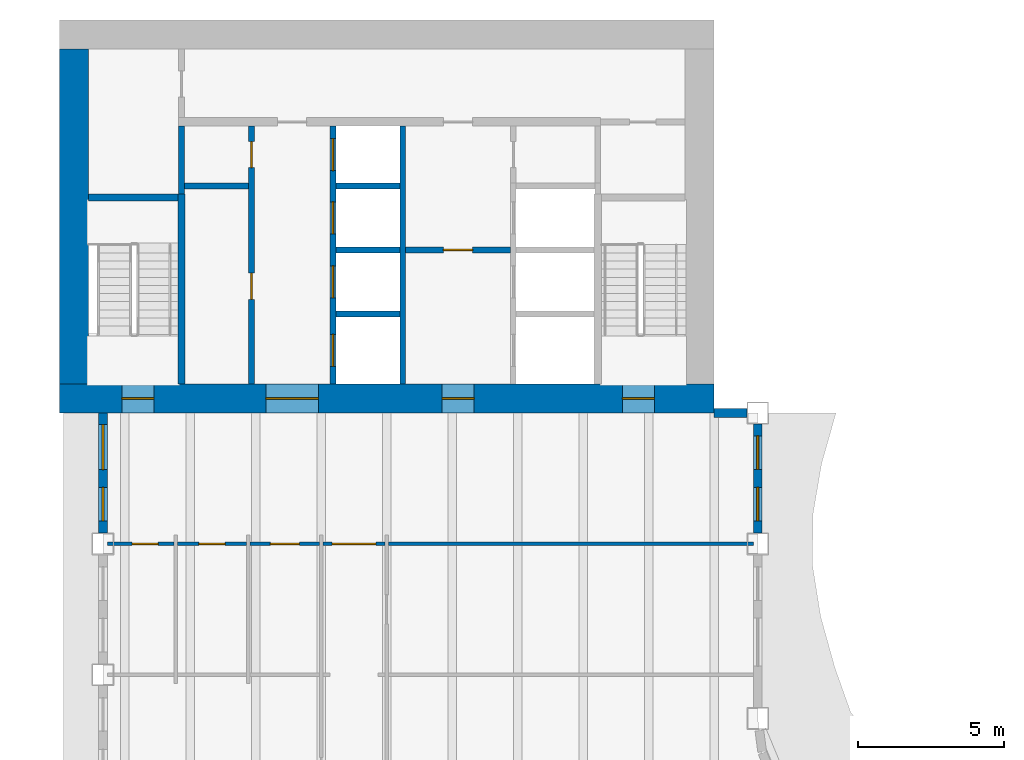
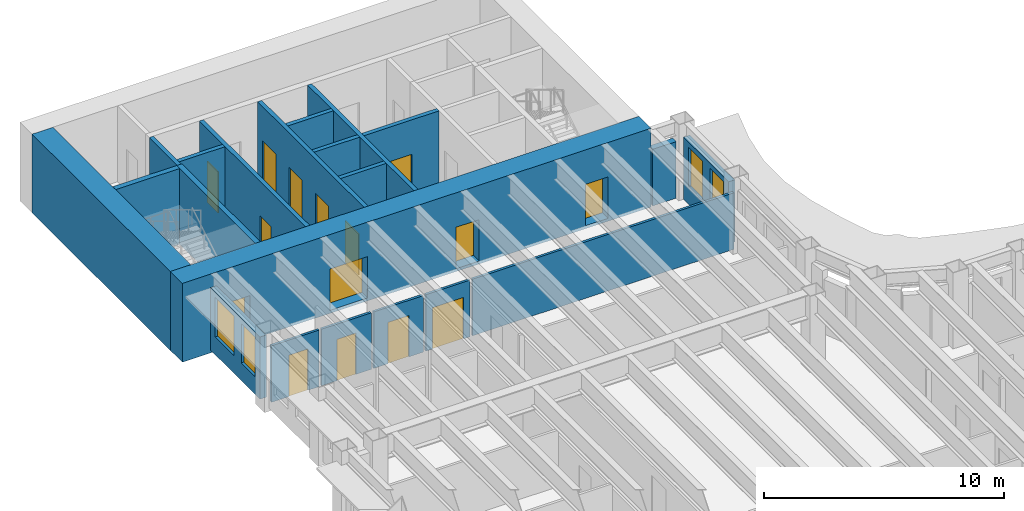
# One storey, part 9 of 17: 21 walls, 15 doors, 4 windows, 19 openings.
"""IFC4 building model written with IfcOpenShell, lengths in metres."""

from ifc_helpers import new_model, si_unit, direction, frame, frame_2d, origin, place, context, subcontext, project, spatial, rectangle, extrude, material, layer, layer_set, type_object, element, fill, save


model = new_model("IFC4")

# Units and contexts
model_context = context("Model", 3, precision=1e-05, world=origin(), true_north=direction((0.0, 1.0)))
body_context = subcontext(model_context, "Body", "Model", "MODEL_VIEW")
ifc_project = project(units=[si_unit("LENGTHUNIT", "METRE"), si_unit("AREAUNIT", "SQUARE_METRE"), si_unit("VOLUMEUNIT", "CUBIC_METRE"), si_unit("PLANEANGLEUNIT", "RADIAN"), si_unit("MASSUNIT", "GRAM", prefix="KILO")], contexts=[model_context])

# Site, building, storey
site_placement = place(None, origin())
site = spatial("IfcSite", under=ifc_project, at=site_placement, CompositionType="ELEMENT")
building_placement = place(site_placement, origin())
building = spatial("IfcBuilding", under=site, at=building_placement, Name="Sennacour Bend Tower", CompositionType="ELEMENT")
storey_placement = place(building_placement, frame((0.0, 0.0, 195.0)))
storey = spatial("IfcBuildingStorey", under=building, at=storey_placement, Name="L44", CompositionType="ELEMENT", Elevation=195.0)

# Wall, openings, doors
ifc_material_1 = material(Name="Concrete C60/75", Category="concrete")
ifc_layer_1 = layer(ifc_material_1, 1.0, Name="Concrete C60/75", Category="concrete")
ifc_layer_set_1 = layer_set([ifc_layer_1], Name="Concrete C60/75")
wall_type_1 = type_object("IfcWallType", Name="Core wall 1000 C60/75", PredefinedType="SHEAR", material=ifc_layer_set_1)
wall_1_placement = place(storey_placement, frame((0.0, 36.5, -0.14990234375), z_axis=(0.0, 0.0, 1.0), x_axis=(1.0, 0.0, 0.0)))
wall_1 = element("IfcWall", 1, at=wall_1_placement, inside=storey, type_object=wall_type_1, Name="Core B wall L44 S", PredefinedType="SHEAR", context=body_context, shape_type="SweptSolid", body=[
    extrude(rectangle(XDim=22.5, YDim=1.0, at=frame_2d((11.25, 0.0))), origin(), (0.0, 0.0, 1.0), 4.0),
])
opening_1_placement = place(wall_1_placement, frame((7.10009765625, 0.0, 0.14990234375)))
opening_1 = element("IfcOpeningElement", 2, at=opening_1_placement, cuts=wall_1, Name="Opening CD", PredefinedType="OPENING", context=body_context, shape_type="SweptSolid", body=[
    extrude(rectangle(XDim=1.800048828125, YDim=2.10009765625, at=frame_2d((0.89990234375, 1.050048828125))), frame((0.0, 0.510009765625, 0.0), z_axis=(0.0, -1.0, 0.0), x_axis=(1.0, 0.0, 0.0)), (0.0, 0.0, 1.0), 1.02001953125),
])
opening_2_placement = place(wall_1_placement, frame((13.14990234375, 0.0, 0.14990234375)))
opening_2 = element("IfcOpeningElement", 3, at=opening_2_placement, cuts=wall_1, Name="Opening FD", PredefinedType="OPENING", context=body_context, shape_type="SweptSolid", body=[
    extrude(rectangle(XDim=1.10009765625, YDim=2.10009765625, at=frame_2d((0.550048828125, 1.050048828125))), frame((0.0, 0.510009765625, 0.0), z_axis=(0.0, -1.0, 0.0), x_axis=(1.0, 0.0, 0.0)), (0.0, 0.0, 1.0), 1.02001953125),
])
opening_3_placement = place(wall_1_placement, frame((2.14990234375, 0.0, 0.14990234375)))
opening_3 = element("IfcOpeningElement", 4, at=opening_3_placement, cuts=wall_1, Name="Opening SD", PredefinedType="OPENING", context=body_context, shape_type="SweptSolid", body=[
    extrude(rectangle(XDim=1.10009765625, YDim=2.10009765625, at=frame_2d((0.550048828125, 1.050048828125))), frame((0.0, 0.510009765625, 0.0), z_axis=(0.0, -1.0, 0.0), x_axis=(1.0, 0.0, 0.0)), (0.0, 0.0, 1.0), 1.02001953125),
])
opening_4_placement = place(wall_1_placement, frame((19.35009765625, 0.0, 0.14990234375)))
opening_4 = element("IfcOpeningElement", 5, at=opening_4_placement, cuts=wall_1, Name="Opening SD", PredefinedType="OPENING", context=body_context, shape_type="SweptSolid", body=[
    extrude(rectangle(XDim=1.10009765625, YDim=2.10009765625, at=frame_2d((0.550048828125, 1.050048828125))), frame((0.0, 0.510009765625, 0.0), z_axis=(0.0, -1.0, 0.0), x_axis=(1.0, 0.0, 0.0)), (0.0, 0.0, 1.0), 1.02001953125),
])
ifc_material_2 = material(Name="Painted steel", Category="steel")
door_type_1 = type_object("IfcDoorType", Name="DR-FFL-1100", OperationType="NOTDEFINED", PredefinedType="DOOR", material=ifc_material_2)
door_1_placement = place(opening_2_placement, origin())
door_1 = element("IfcDoor", 6, at=door_1_placement, inside=storey, type_object=door_type_1, Name="Door", OperationType="SINGLE_SWING_RIGHT", OverallHeight=2.10009765625, OverallWidth=1.10009765625, PredefinedType="DOOR", context=body_context, shape_type="SweptSolid", body=[
    extrude(rectangle(XDim=1.10009765625, YDim=2.10009765625, at=frame_2d((0.550048828125, 1.050048828125))), frame((0.0, 0.02490234375, 0.0), z_axis=(0.0, -1.0, 0.0), x_axis=(1.0, 0.0, 0.0)), (0.0, 0.0, 1.0), 0.050048828125),
])
fill(opening_2, door_1)
door_type_2 = type_object("IfcDoorType", Name="DR-LOBBY-1800", OperationType="NOTDEFINED", PredefinedType="DOOR", material=ifc_material_2)
door_2_placement = place(opening_1_placement, origin())
door_2 = element("IfcDoor", 7, at=door_2_placement, inside=storey, type_object=door_type_2, Name="Door", OperationType="DOUBLE_DOOR_SINGLE_SWING", OverallHeight=2.10009765625, OverallWidth=1.800048828125, PredefinedType="DOOR", context=body_context, shape_type="SweptSolid", body=[
    extrude(rectangle(XDim=1.800048828125, YDim=2.10009765625, at=frame_2d((0.89990234375, 1.050048828125))), frame((0.0, 0.02490234375, 0.0), z_axis=(0.0, -1.0, 0.0), x_axis=(1.0, 0.0, 0.0)), (0.0, 0.0, 1.0), 0.050048828125),
])
fill(opening_1, door_2)
door_type_3 = type_object("IfcDoorType", Name="DR-STAIR-1100", OperationType="NOTDEFINED", PredefinedType="DOOR", material=ifc_material_2)
door_3_placement = place(opening_3_placement, origin())
door_3 = element("IfcDoor", 8, at=door_3_placement, inside=storey, type_object=door_type_3, Name="Door", OperationType="SINGLE_SWING_LEFT", OverallHeight=2.10009765625, OverallWidth=1.10009765625, PredefinedType="DOOR", context=body_context, shape_type="SweptSolid", body=[
    extrude(rectangle(XDim=1.10009765625, YDim=2.10009765625, at=frame_2d((0.550048828125, 1.050048828125))), frame((0.0, 0.02490234375, 0.0), z_axis=(0.0, -1.0, 0.0), x_axis=(1.0, 0.0, 0.0)), (0.0, 0.0, 1.0), 0.050048828125),
])
fill(opening_3, door_3)
door_4_placement = place(opening_4_placement, origin())
door_4 = element("IfcDoor", 9, at=door_4_placement, inside=storey, type_object=door_type_3, Name="Door", OperationType="SINGLE_SWING_RIGHT", OverallHeight=2.10009765625, OverallWidth=1.10009765625, PredefinedType="DOOR", context=body_context, shape_type="SweptSolid", body=[
    extrude(rectangle(XDim=1.10009765625, YDim=2.10009765625, at=frame_2d((0.550048828125, 1.050048828125))), frame((0.0, 0.02490234375, 0.0), z_axis=(0.0, -1.0, 0.0), x_axis=(1.0, 0.0, 0.0)), (0.0, 0.0, 1.0), 0.050048828125),
])
fill(opening_4, door_4)

# Wall
wall_2_placement = place(storey_placement, frame((0.5, 37.0, -0.14990234375), z_axis=(0.0, 0.0, 1.0), x_axis=(0.0, 1.0, 0.0)))
element("IfcWall", 10, at=wall_2_placement, inside=storey, type_object=wall_type_1, Name="Core B wall L44 W", PredefinedType="SHEAR", context=body_context, shape_type="SweptSolid", body=[
    extrude(rectangle(XDim=11.5, YDim=1.0, at=frame_2d((5.75, 0.0))), origin(), (0.0, 0.0, 1.0), 4.0),
])

# Wall, opening, door
ifc_material_3 = material(Name="Plasterboard partition on steel studs", Category="steel")
ifc_layer_2 = layer(ifc_material_3, 0.1201171875, Name="Plasterboard partition on steel studs", Category="steel")
ifc_layer_set_2 = layer_set([ifc_layer_2], Name="Plasterboard partition on steel studs")
wall_type_2 = type_object("IfcWallType", Name="Partition 120", PredefinedType="PARTITIONING", material=ifc_layer_set_2)
wall_3_placement = place(storey_placement, frame((1.64990234375, 31.5, 0.0), z_axis=(0.0, 0.0, 1.0), x_axis=(1.0, 0.0, 0.0)))
wall_3 = element("IfcWall", 11, at=wall_3_placement, inside=storey, type_object=wall_type_2, Name="P-L44-W079aa", PredefinedType="PARTITIONING", context=body_context, shape_type="SweptSolid", body=[
    extrude(rectangle(XDim=2.2900390625, YDim=0.1201171875, at=frame_2d((1.14501953125, 0.0))), origin(), (0.0, 0.0, 1.0), 2.8701171875),
])
opening_5_placement = place(wall_3_placement, frame((0.85009765625, 0.0, 0.0)))
opening_5 = element("IfcOpeningElement", 12, at=opening_5_placement, cuts=wall_3, Name="Opening WD", PredefinedType="OPENING", context=body_context, shape_type="SweptSolid", body=[
    extrude(rectangle(XDim=0.89990234375, YDim=2.10009765625, at=frame_2d((0.449951171875, 1.050048828125))), frame((0.0, 0.070068359375, 0.0), z_axis=(0.0, -1.0, 0.0), x_axis=(1.0, 0.0, 0.0)), (0.0, 0.0, 1.0), 0.14013671875),
])
ifc_material_4 = material(Name="Timber", Category="wood")
door_type_4 = type_object("IfcDoorType", Name="DR-WC-900", OperationType="NOTDEFINED", PredefinedType="DOOR", material=ifc_material_4)
door_5_placement = place(opening_5_placement, origin())
door_5 = element("IfcDoor", 13, at=door_5_placement, inside=storey, type_object=door_type_4, Name="Door", OperationType="SINGLE_SWING_RIGHT", OverallHeight=2.10009765625, OverallWidth=0.89990234375, PredefinedType="DOOR", context=body_context, shape_type="SweptSolid", body=[
    extrude(rectangle(XDim=0.89990234375, YDim=2.10009765625, at=frame_2d((0.449951171875, 1.050048828125))), frame((0.0, 0.02490234375, 0.0), z_axis=(0.0, -1.0, 0.0), x_axis=(1.0, 0.0, 0.0)), (0.0, 0.0, 1.0), 0.050048828125),
])
fill(opening_5, door_5)

wall_4_placement = place(storey_placement, frame((4.06005859375, 31.5, 0.0), z_axis=(0.0, 0.0, 1.0), x_axis=(1.0, 0.0, 0.0)))
wall_4 = element("IfcWall", 14, at=wall_4_placement, inside=storey, type_object=wall_type_2, Name="P-L44-W079ab", PredefinedType="PARTITIONING", context=body_context, shape_type="SweptSolid", body=[
    extrude(rectangle(XDim=2.3798828125, YDim=0.1201171875, at=frame_2d((1.18994140625, 0.0))), origin(), (0.0, 0.0, 1.0), 2.8701171875),
])
opening_6_placement = place(wall_4_placement, frame((0.739990234375, 0.0, 0.0)))
opening_6 = element("IfcOpeningElement", 15, at=opening_6_placement, cuts=wall_4, Name="Opening WD", PredefinedType="OPENING", context=body_context, shape_type="SweptSolid", body=[
    extrude(rectangle(XDim=0.89990234375, YDim=2.10009765625, at=frame_2d((0.449951171875, 1.050048828125))), frame((0.0, 0.070068359375, 0.0), z_axis=(0.0, -1.0, 0.0), x_axis=(1.0, 0.0, 0.0)), (0.0, 0.0, 1.0), 0.14013671875),
])
door_6_placement = place(opening_6_placement, origin())
door_6 = element("IfcDoor", 16, at=door_6_placement, inside=storey, type_object=door_type_4, Name="Door", OperationType="SINGLE_SWING_LEFT", OverallHeight=2.10009765625, OverallWidth=0.89990234375, PredefinedType="DOOR", context=body_context, shape_type="SweptSolid", body=[
    extrude(rectangle(XDim=0.89990234375, YDim=2.10009765625, at=frame_2d((0.449951171875, 1.050048828125))), frame((0.0, 0.02490234375, 0.0), z_axis=(0.0, -1.0, 0.0), x_axis=(1.0, 0.0, 0.0)), (0.0, 0.0, 1.0), 0.050048828125),
])
fill(opening_6, door_6)

wall_5_placement = place(storey_placement, frame((6.56005859375, 31.5, 0.0), z_axis=(0.0, 0.0, 1.0), x_axis=(1.0, 0.0, 0.0)))
wall_5 = element("IfcWall", 17, at=wall_5_placement, inside=storey, type_object=wall_type_2, Name="P-L44-W079ac", PredefinedType="PARTITIONING", context=body_context, shape_type="SweptSolid", body=[
    extrude(rectangle(XDim=2.3798828125, YDim=0.1201171875, at=frame_2d((1.18994140625, 0.0))), origin(), (0.0, 0.0, 1.0), 2.8701171875),
])
opening_7_placement = place(wall_5_placement, frame((0.68994140625, 0.0, 0.0)))
opening_7 = element("IfcOpeningElement", 18, at=opening_7_placement, cuts=wall_5, Name="Opening AD", PredefinedType="OPENING", context=body_context, shape_type="SweptSolid", body=[
    extrude(rectangle(XDim=1.0, YDim=2.10009765625, at=frame_2d((0.5, 1.050048828125))), frame((0.0, 0.070068359375, 0.0), z_axis=(0.0, -1.0, 0.0), x_axis=(1.0, 0.0, 0.0)), (0.0, 0.0, 1.0), 0.14013671875),
])
door_type_5 = type_object("IfcDoorType", Name="DR-ACC-WC-1000", OperationType="NOTDEFINED", PredefinedType="DOOR", material=ifc_material_4)
door_7_placement = place(opening_7_placement, origin())
door_7 = element("IfcDoor", 19, at=door_7_placement, inside=storey, type_object=door_type_5, Name="Door", OperationType="SINGLE_SWING_LEFT", OverallHeight=2.10009765625, OverallWidth=1.0, PredefinedType="DOOR", context=body_context, shape_type="SweptSolid", body=[
    extrude(rectangle(XDim=1.0, YDim=2.10009765625, at=frame_2d((0.5, 1.050048828125))), frame((0.0, 0.02490234375, 0.0), z_axis=(0.0, -1.0, 0.0), x_axis=(1.0, 0.0, 0.0)), (0.0, 0.0, 1.0), 0.050048828125),
])
fill(opening_7, door_7)

# Wall
wall_6_placement = place(storey_placement, frame((11.31005859375, 31.5, 0.0), z_axis=(0.0, 0.0, 1.0), x_axis=(1.0, 0.0, 0.0)))
element("IfcWall", 20, at=wall_6_placement, inside=storey, type_object=wall_type_2, Name="P-L44-W079ae", PredefinedType="PARTITIONING", context=body_context, shape_type="SweptSolid", body=[
    extrude(rectangle(XDim=12.5400390625, YDim=0.1201171875, at=frame_2d((6.27001953125, 0.0))), origin(), (0.0, 0.0, 1.0), 2.8701171875),
])

# Wall, opening, door
ifc_layer_3 = layer(ifc_material_3, 0.1201171875, Name="Plasterboard partition on steel studs", Category="steel")
ifc_layer_set_3 = layer_set([ifc_layer_3], Name="Plasterboard partition on steel studs")
wall_type_3 = type_object("IfcWallType", Name="Partition 120 EI 30", PredefinedType="PARTITIONING", material=ifc_layer_set_3)
wall_7_placement = place(storey_placement, frame((9.06005859375, 31.5, 0.0), z_axis=(0.0, 0.0, 1.0), x_axis=(1.0, 0.0, 0.0)))
wall_7 = element("IfcWall", 21, at=wall_7_placement, inside=storey, type_object=wall_type_3, Name="P-L44-W079ad", PredefinedType="PARTITIONING", context=body_context, shape_type="SweptSolid", body=[
    extrude(rectangle(XDim=2.1298828125, YDim=0.1201171875, at=frame_2d((1.06494140625, 0.0))), origin(), (0.0, 0.0, 1.0), 2.8701171875),
])
opening_8_placement = place(wall_7_placement, frame((0.31494140625, 0.0, 0.0)))
opening_8 = element("IfcOpeningElement", 22, at=opening_8_placement, cuts=wall_7, Name="Opening KD", PredefinedType="OPENING", context=body_context, shape_type="SweptSolid", body=[
    extrude(rectangle(XDim=1.5, YDim=2.10009765625, at=frame_2d((0.75, 1.050048828125))), frame((0.0, 0.070068359375, 0.0), z_axis=(0.0, -1.0, 0.0), x_axis=(1.0, 0.0, 0.0)), (0.0, 0.0, 1.0), 0.14013671875),
])
door_type_6 = type_object("IfcDoorType", Name="DR-CORRIDOR-1500", OperationType="NOTDEFINED", PredefinedType="DOOR", material=ifc_material_2)
door_8_placement = place(opening_8_placement, origin())
door_8 = element("IfcDoor", 23, at=door_8_placement, inside=storey, type_object=door_type_6, Name="Door", OperationType="SINGLE_SWING_LEFT", OverallHeight=2.10009765625, OverallWidth=1.5, PredefinedType="DOOR", context=body_context, shape_type="SweptSolid", body=[
    extrude(rectangle(XDim=1.5, YDim=2.10009765625, at=frame_2d((0.75, 1.050048828125))), frame((0.0, 0.02490234375, 0.0), z_axis=(0.0, -1.0, 0.0), x_axis=(1.0, 0.0, 0.0)), (0.0, 0.0, 1.0), 0.050048828125),
])
fill(opening_8, door_8)

# Wall
ifc_material_5 = material(Name="Fire-rated plasterboard partition on steel studs", Category="steel")
ifc_layer_4 = layer(ifc_material_5, 0.199951171875, Name="Fire-rated plasterboard partition on steel studs", Category="steel")
ifc_layer_set_4 = layer_set([ifc_layer_4], Name="Fire-rated plasterboard partition on steel studs")
wall_type_4 = type_object("IfcWallType", Name="Rated partition 200", PredefinedType="PARTITIONING", material=ifc_layer_set_4)
wall_8_placement = place(storey_placement, frame((4.199951171875, 43.52490234375, 0.0), z_axis=(0.0, 0.0, 1.0), x_axis=(0.0, 1.0, 0.0)))
element("IfcWall", 24, at=wall_8_placement, inside=storey, type_object=wall_type_4, Name="P-L44-W006a", PredefinedType="PARTITIONING", context=body_context, shape_type="SweptSolid", body=[
    extrude(rectangle(XDim=2.3251953125, YDim=0.199951171875, at=frame_2d((1.16259765625, 0.0))), origin(), (0.0, 0.0, 1.0), 3.85009765625),
])

# Wall, openings, doors
wall_9_placement = place(storey_placement, frame((6.60009765625, 37.0, 0.0), z_axis=(0.0, 0.0, 1.0), x_axis=(0.0, 1.0, 0.0)))
wall_9 = element("IfcWall", 25, at=wall_9_placement, inside=storey, type_object=wall_type_4, Name="P-L44-W008", PredefinedType="PARTITIONING", context=body_context, shape_type="SweptSolid", body=[
    extrude(rectangle(XDim=8.85009765625, YDim=0.199951171875, at=frame_2d((4.425048828125, 0.0))), origin(), (0.0, 0.0, 1.0), 3.85009765625),
])
opening_9_placement = place(wall_9_placement, frame((2.89990234375, 0.0, 0.0)))
opening_9 = element("IfcOpeningElement", 26, at=opening_9_placement, cuts=wall_9, Name="Opening SV", PredefinedType="OPENING", context=body_context, shape_type="SweptSolid", body=[
    extrude(rectangle(XDim=0.89990234375, YDim=2.10009765625, at=frame_2d((0.449951171875, 1.050048828125))), frame((0.0, 0.10986328125, 0.0), z_axis=(0.0, -1.0, 0.0), x_axis=(1.0, 0.0, 0.0)), (0.0, 0.0, 1.0), 0.219970703125),
])
opening_10_placement = place(wall_9_placement, frame((7.425048828125, 0.0, 0.0)))
opening_10 = element("IfcOpeningElement", 27, at=opening_10_placement, cuts=wall_9, Name="Opening SV", PredefinedType="OPENING", context=body_context, shape_type="SweptSolid", body=[
    extrude(rectangle(XDim=0.89990234375, YDim=2.10009765625, at=frame_2d((0.449951171875, 1.050048828125))), frame((0.0, 0.10986328125, 0.0), z_axis=(0.0, -1.0, 0.0), x_axis=(1.0, 0.0, 0.0)), (0.0, 0.0, 1.0), 0.219970703125),
])
door_type_7 = type_object("IfcDoorType", Name="DR-SERVICE-900", OperationType="NOTDEFINED", PredefinedType="DOOR", material=ifc_material_2)
door_9_placement = place(opening_9_placement, origin())
door_9 = element("IfcDoor", 28, at=door_9_placement, inside=storey, type_object=door_type_7, Name="Door", OperationType="SINGLE_SWING_LEFT", OverallHeight=2.10009765625, OverallWidth=0.89990234375, PredefinedType="DOOR", context=body_context, shape_type="SweptSolid", body=[
    extrude(rectangle(XDim=0.89990234375, YDim=2.10009765625, at=frame_2d((0.449951171875, 1.050048828125))), frame((0.0, 0.02490234375, 0.0), z_axis=(0.0, -1.0, 0.0), x_axis=(1.0, 0.0, 0.0)), (0.0, 0.0, 1.0), 0.050048828125),
])
fill(opening_9, door_9)
door_10_placement = place(opening_10_placement, origin())
door_10 = element("IfcDoor", 29, at=door_10_placement, inside=storey, type_object=door_type_7, Name="Door", OperationType="SINGLE_SWING_RIGHT", OverallHeight=2.10009765625, OverallWidth=0.89990234375, PredefinedType="DOOR", context=body_context, shape_type="SweptSolid", body=[
    extrude(rectangle(XDim=0.89990234375, YDim=2.10009765625, at=frame_2d((0.449951171875, 1.050048828125))), frame((0.0, 0.02490234375, 0.0), z_axis=(0.0, -1.0, 0.0), x_axis=(1.0, 0.0, 0.0)), (0.0, 0.0, 1.0), 0.050048828125),
])
fill(opening_10, door_10)

# Wall
wall_10_placement = place(storey_placement, frame((4.300048828125, 43.800048828125, 0.0), z_axis=(0.0, 0.0, 1.0), x_axis=(1.0, 0.0, 0.0)))
element("IfcWall", 30, at=wall_10_placement, inside=storey, type_object=wall_type_4, Name="P-L44-W088", PredefinedType="PARTITIONING", context=body_context, shape_type="SweptSolid", body=[
    extrude(rectangle(XDim=2.199951171875, YDim=0.199951171875, at=frame_2d((1.10009765625, 0.0))), origin(), (0.0, 0.0, 1.0), 3.85009765625),
])

# Wall, opening, door
ifc_layer_5 = layer(ifc_material_5, 0.199951171875, Name="Fire-rated plasterboard partition on steel studs", Category="steel")
ifc_layer_set_5 = layer_set([ifc_layer_5], Name="Fire-rated plasterboard partition on steel studs")
wall_type_5 = type_object("IfcWallType", Name="Rated partition 200 EI 90", PredefinedType="PARTITIONING", material=ifc_layer_set_5)
wall_11_placement = place(storey_placement, frame((11.89990234375, 41.60009765625, 0.0), z_axis=(0.0, 0.0, 1.0), x_axis=(1.0, 0.0, 0.0)))
wall_11 = element("IfcWall", 31, at=wall_11_placement, inside=storey, type_object=wall_type_5, Name="P-L44-W084", PredefinedType="PARTITIONING", context=body_context, shape_type="SweptSolid", body=[
    extrude(rectangle(XDim=3.60009765625, YDim=0.199951171875, at=frame_2d((1.800048828125, 0.0))), origin(), (0.0, 0.0, 1.0), 3.85009765625),
])
opening_11_placement = place(wall_11_placement, frame((1.300048828125, 0.0, 0.0)))
opening_11 = element("IfcOpeningElement", 32, at=opening_11_placement, cuts=wall_11, Name="Opening FD2", PredefinedType="OPENING", context=body_context, shape_type="SweptSolid", body=[
    extrude(rectangle(XDim=1.0, YDim=2.10009765625, at=frame_2d((0.5, 1.050048828125))), frame((0.0, 0.10986328125, 0.0), z_axis=(0.0, -1.0, 0.0), x_axis=(1.0, 0.0, 0.0)), (0.0, 0.0, 1.0), 0.219970703125),
])
door_type_8 = type_object("IfcDoorType", Name="DR-FFL-1000", OperationType="NOTDEFINED", PredefinedType="DOOR", material=ifc_material_2)
door_11_placement = place(opening_11_placement, origin())
door_11 = element("IfcDoor", 33, at=door_11_placement, inside=storey, type_object=door_type_8, Name="Door", OperationType="SINGLE_SWING_RIGHT", OverallHeight=2.10009765625, OverallWidth=1.0, PredefinedType="DOOR", context=body_context, shape_type="SweptSolid", body=[
    extrude(rectangle(XDim=1.0, YDim=2.10009765625, at=frame_2d((0.5, 1.050048828125))), frame((0.0, 0.02490234375, 0.0), z_axis=(0.0, -1.0, 0.0), x_axis=(1.0, 0.0, 0.0)), (0.0, 0.0, 1.0), 0.050048828125),
])
fill(opening_11, door_11)

# Wall, openings, windows
ifc_material_6 = material(Name="Warm limestone cladding", Category="masonry")
ifc_layer_6 = layer(ifc_material_6, 0.050048828125, Name="Warm limestone cladding", Category="masonry")
ifc_material_7 = material(Name="Precast concrete C40/50", Category="concrete")
ifc_layer_7 = layer(ifc_material_7, 0.25, Name="Precast concrete C40/50", Category="concrete")
ifc_layer_set_6 = layer_set([ifc_layer_6, ifc_layer_7], Name="Precast concrete C40/50 with limestone cladding")
wall_type_6 = type_object("IfcWallType", Name="STONE-CLAD PRECAST SPANDREL 300", PredefinedType="STANDARD", material=ifc_layer_set_6)
wall_12_placement = place(storey_placement, frame((24.0, 31.875, 0.0), z_axis=(0.0, 0.0, 1.0), x_axis=(0.0, 1.0, 0.0)))
wall_12 = element("IfcWall", 34, at=wall_12_placement, inside=storey, type_object=wall_type_6, Name="Stone spandrel and pier wall L44 13.01", PredefinedType="STANDARD", context=body_context, shape_type="SweptSolid", body=[
    extrude(rectangle(XDim=3.75, YDim=0.300048828125, at=frame_2d((1.875, 0.0))), origin(), (0.0, 0.0, 1.0), 3.156982421875),
])
opening_12_placement = place(wall_12_placement, frame((0.41259765625, 0.0, 0.89990234375)))
opening_12 = element("IfcOpeningElement", 35, at=opening_12_placement, cuts=wall_12, Name="Opening W24", PredefinedType="OPENING", context=body_context, shape_type="SweptSolid", body=[
    extrude(rectangle(XDim=1.14990234375, YDim=2.0, at=frame_2d((0.574951171875, 1.0))), frame((0.0, 0.16015625, 0.0), z_axis=(0.0, -1.0, 0.0), x_axis=(1.0, 0.0, 0.0)), (0.0, 0.0, 1.0), 0.320068359375),
])
opening_13_placement = place(wall_12_placement, frame((2.1875, 0.0, 0.89990234375)))
opening_13 = element("IfcOpeningElement", 36, at=opening_13_placement, cuts=wall_12, Name="Opening W24", PredefinedType="OPENING", context=body_context, shape_type="SweptSolid", body=[
    extrude(rectangle(XDim=1.14990234375, YDim=2.0, at=frame_2d((0.574951171875, 1.0))), frame((0.0, 0.16015625, 0.0), z_axis=(0.0, -1.0, 0.0), x_axis=(1.0, 0.0, 0.0)), (0.0, 0.0, 1.0), 0.320068359375),
])
ifc_material_8 = material(Name="Clear low-emissivity glass", Category="glass")
window_type_1 = type_object("IfcWindowType", Name="WIN-RIBBON-1150x2000", PartitioningType="SINGLE_PANEL", PredefinedType="WINDOW", material=ifc_material_8)
window_1_placement = place(opening_12_placement, origin())
window_1 = element("IfcWindow", 37, at=window_1_placement, inside=storey, type_object=window_type_1, Name="Ribbon window L44 13.01.0", OverallHeight=2.0, OverallWidth=1.14990234375, PartitioningType="SINGLE_PANEL", PredefinedType="WINDOW", context=body_context, shape_type="SweptSolid", body=[
    extrude(rectangle(XDim=1.14990234375, YDim=2.0, at=frame_2d((0.574951171875, 1.0))), frame((0.0, 0.030029296875, 0.0), z_axis=(0.0, -1.0, 0.0), x_axis=(1.0, 0.0, 0.0)), (0.0, 0.0, 1.0), 0.06005859375),
])
fill(opening_12, window_1)
window_2_placement = place(opening_13_placement, origin())
window_2 = element("IfcWindow", 38, at=window_2_placement, inside=storey, type_object=window_type_1, Name="Ribbon window L44 13.01.1", OverallHeight=2.0, OverallWidth=1.14990234375, PartitioningType="SINGLE_PANEL", PredefinedType="WINDOW", context=body_context, shape_type="SweptSolid", body=[
    extrude(rectangle(XDim=1.14990234375, YDim=2.0, at=frame_2d((0.574951171875, 1.0))), frame((0.0, 0.030029296875, 0.0), z_axis=(0.0, -1.0, 0.0), x_axis=(1.0, 0.0, 0.0)), (0.0, 0.0, 1.0), 0.06005859375),
])
fill(opening_13, window_2)

# Wall
wall_13_placement = place(storey_placement, frame((23.625, 36.0, 0.0), z_axis=(0.0, 0.0, 1.0), x_axis=(-1.0, 0.0, 0.0)))
element("IfcWall", 39, at=wall_13_placement, inside=storey, type_object=wall_type_6, Name="Stone spandrel and pier wall L44 14.00", PredefinedType="STANDARD", context=body_context, shape_type="SweptSolid", body=[
    extrude(rectangle(XDim=1.125, YDim=0.300048828125, at=frame_2d((0.5625, 0.0))), origin(), (0.0, 0.0, 1.0), 2.8701171875),
])

# Wall, openings, windows
wall_14_placement = place(storey_placement, frame((1.5, 36.0, 0.0), z_axis=(0.0, 0.0, 1.0), x_axis=(0.0, -1.0, 0.0)))
wall_14 = element("IfcWall", 40, at=wall_14_placement, inside=storey, type_object=wall_type_6, Name="Stone spandrel and pier wall L44 19.00", PredefinedType="STANDARD", context=body_context, shape_type="SweptSolid", body=[
    extrude(rectangle(XDim=4.125, YDim=0.300048828125, at=frame_2d((2.0625, 0.0))), origin(), (0.0, 0.0, 1.0), 3.156982421875),
])
opening_14_placement = place(wall_14_placement, frame((0.39990234375, 0.0, 0.89990234375)))
opening_14 = element("IfcOpeningElement", 41, at=opening_14_placement, cuts=wall_14, Name="Opening W9", PredefinedType="OPENING", context=body_context, shape_type="SweptSolid", body=[
    extrude(rectangle(XDim=1.550048828125, YDim=2.0, at=frame_2d((0.77490234375, 1.0))), frame((0.0, 0.16015625, 0.0), z_axis=(0.0, -1.0, 0.0), x_axis=(1.0, 0.0, 0.0)), (0.0, 0.0, 1.0), 0.320068359375),
])
opening_15_placement = place(wall_14_placement, frame((2.5625, 0.0, 0.89990234375)))
opening_15 = element("IfcOpeningElement", 42, at=opening_15_placement, cuts=wall_14, Name="Opening W24", PredefinedType="OPENING", context=body_context, shape_type="SweptSolid", body=[
    extrude(rectangle(XDim=1.14990234375, YDim=2.0, at=frame_2d((0.574951171875, 1.0))), frame((0.0, 0.16015625, 0.0), z_axis=(0.0, -1.0, 0.0), x_axis=(1.0, 0.0, 0.0)), (0.0, 0.0, 1.0), 0.320068359375),
])
window_3_placement = place(opening_15_placement, origin())
window_3 = element("IfcWindow", 43, at=window_3_placement, inside=storey, type_object=window_type_1, Name="Ribbon window L44 19.00.1", OverallHeight=2.0, OverallWidth=1.14990234375, PartitioningType="SINGLE_PANEL", PredefinedType="WINDOW", context=body_context, shape_type="SweptSolid", body=[
    extrude(rectangle(XDim=1.14990234375, YDim=2.0, at=frame_2d((0.574951171875, 1.0))), frame((0.0, 0.030029296875, 0.0), z_axis=(0.0, -1.0, 0.0), x_axis=(1.0, 0.0, 0.0)), (0.0, 0.0, 1.0), 0.06005859375),
])
fill(opening_15, window_3)
window_type_2 = type_object("IfcWindowType", Name="WIN-RIBBON-1550x2000", PartitioningType="SINGLE_PANEL", PredefinedType="WINDOW", material=ifc_material_8)
window_4_placement = place(opening_14_placement, origin())
window_4 = element("IfcWindow", 44, at=window_4_placement, inside=storey, type_object=window_type_2, Name="Ribbon window L44 19.00.0", OverallHeight=2.0, OverallWidth=1.550048828125, PartitioningType="SINGLE_PANEL", PredefinedType="WINDOW", context=body_context, shape_type="SweptSolid", body=[
    extrude(rectangle(XDim=1.550048828125, YDim=2.0, at=frame_2d((0.77490234375, 1.0))), frame((0.0, 0.030029296875, 0.0), z_axis=(0.0, -1.0, 0.0), x_axis=(1.0, 0.0, 0.0)), (0.0, 0.0, 1.0), 0.06005859375),
])
fill(opening_14, window_4)

# Wall, openings, doors
ifc_material_9 = material(Name="Concrete C50/60", Category="concrete")
ifc_layer_8 = layer(ifc_material_9, 0.199951171875, Name="Concrete C50/60", Category="concrete")
ifc_layer_set_7 = layer_set([ifc_layer_8], Name="Concrete C50/60")
wall_type_7 = type_object("IfcWallType", Name="Shaft wall 200", PredefinedType="SOLIDWALL", material=ifc_layer_set_7)
wall_15_placement = place(storey_placement, frame((9.39990234375, 37.0, 0.0), z_axis=(0.0, 0.0, 1.0), x_axis=(0.0, 1.0, 0.0)))
wall_15 = element("IfcWall", 45, at=wall_15_placement, inside=storey, type_object=wall_type_7, Name="P-L44-W013", PredefinedType="SOLIDWALL", context=body_context, shape_type="SweptSolid", body=[
    extrude(rectangle(XDim=8.85009765625, YDim=0.199951171875, at=frame_2d((4.425048828125, 0.0))), origin(), (0.0, 0.0, 1.0), 3.85009765625),
])
opening_16_placement = place(wall_15_placement, frame((0.60009765625, 0.0, 0.011962890625)))
opening_16 = element("IfcOpeningElement", 46, at=opening_16_placement, cuts=wall_15, Name="Opening LD", PredefinedType="OPENING", context=body_context, shape_type="SweptSolid", body=[
    extrude(rectangle(XDim=1.10009765625, YDim=2.10009765625, at=frame_2d((0.550048828125, 1.050048828125))), frame((0.0, 0.10986328125, 0.0), z_axis=(0.0, -1.0, 0.0), x_axis=(1.0, 0.0, 0.0)), (0.0, 0.0, 1.0), 0.219970703125),
])
opening_17_placement = place(wall_15_placement, frame((2.949951171875, 0.0, 0.011962890625)))
opening_17 = element("IfcOpeningElement", 47, at=opening_17_placement, cuts=wall_15, Name="Opening LD", PredefinedType="OPENING", context=body_context, shape_type="SweptSolid", body=[
    extrude(rectangle(XDim=1.10009765625, YDim=2.10009765625, at=frame_2d((0.550048828125, 1.050048828125))), frame((0.0, 0.10986328125, 0.0), z_axis=(0.0, -1.0, 0.0), x_axis=(1.0, 0.0, 0.0)), (0.0, 0.0, 1.0), 0.219970703125),
])
opening_18_placement = place(wall_15_placement, frame((5.14990234375, 0.0, 0.011962890625)))
opening_18 = element("IfcOpeningElement", 48, at=opening_18_placement, cuts=wall_15, Name="Opening LD", PredefinedType="OPENING", context=body_context, shape_type="SweptSolid", body=[
    extrude(rectangle(XDim=1.10009765625, YDim=2.10009765625, at=frame_2d((0.550048828125, 1.050048828125))), frame((0.0, 0.10986328125, 0.0), z_axis=(0.0, -1.0, 0.0), x_axis=(1.0, 0.0, 0.0)), (0.0, 0.0, 1.0), 0.219970703125),
])
opening_19_placement = place(wall_15_placement, frame((7.324951171875, 0.0, 0.011962890625)))
opening_19 = element("IfcOpeningElement", 49, at=opening_19_placement, cuts=wall_15, Name="Opening LD", PredefinedType="OPENING", context=body_context, shape_type="SweptSolid", body=[
    extrude(rectangle(XDim=1.10009765625, YDim=2.10009765625, at=frame_2d((0.550048828125, 1.050048828125))), frame((0.0, 0.10986328125, 0.0), z_axis=(0.0, -1.0, 0.0), x_axis=(1.0, 0.0, 0.0)), (0.0, 0.0, 1.0), 0.219970703125),
])
ifc_material_10 = material(Name="Stainless steel", Category="steel")
door_type_9 = type_object("IfcDoorType", Name="DR-LANDING-1100", OperationType="NOTDEFINED", PredefinedType="DOOR", material=ifc_material_10)
door_12_placement = place(opening_16_placement, origin())
door_12 = element("IfcDoor", 50, at=door_12_placement, inside=storey, type_object=door_type_9, Name="Lift landing door MB1", OperationType="SLIDING_TO_RIGHT", OverallHeight=2.10009765625, OverallWidth=1.10009765625, PredefinedType="DOOR", context=body_context, shape_type="SweptSolid", body=[
    extrude(rectangle(XDim=1.10009765625, YDim=2.10009765625, at=frame_2d((0.550048828125, 1.050048828125))), frame((0.0, 0.02490234375, 0.0), z_axis=(0.0, -1.0, 0.0), x_axis=(1.0, 0.0, 0.0)), (0.0, 0.0, 1.0), 0.050048828125),
])
fill(opening_16, door_12)
door_13_placement = place(opening_17_placement, origin())
door_13 = element("IfcDoor", 51, at=door_13_placement, inside=storey, type_object=door_type_9, Name="Lift landing door MB2", OperationType="SLIDING_TO_LEFT", OverallHeight=2.10009765625, OverallWidth=1.10009765625, PredefinedType="DOOR", context=body_context, shape_type="SweptSolid", body=[
    extrude(rectangle(XDim=1.10009765625, YDim=2.10009765625, at=frame_2d((0.550048828125, 1.050048828125))), frame((0.0, 0.02490234375, 0.0), z_axis=(0.0, -1.0, 0.0), x_axis=(1.0, 0.0, 0.0)), (0.0, 0.0, 1.0), 0.050048828125),
])
fill(opening_17, door_13)
door_14_placement = place(opening_18_placement, origin())
door_14 = element("IfcDoor", 52, at=door_14_placement, inside=storey, type_object=door_type_9, Name="Lift landing door MB3", OperationType="SLIDING_TO_RIGHT", OverallHeight=2.10009765625, OverallWidth=1.10009765625, PredefinedType="DOOR", context=body_context, shape_type="SweptSolid", body=[
    extrude(rectangle(XDim=1.10009765625, YDim=2.10009765625, at=frame_2d((0.550048828125, 1.050048828125))), frame((0.0, 0.02490234375, 0.0), z_axis=(0.0, -1.0, 0.0), x_axis=(1.0, 0.0, 0.0)), (0.0, 0.0, 1.0), 0.050048828125),
])
fill(opening_18, door_14)
door_15_placement = place(opening_19_placement, origin())
door_15 = element("IfcDoor", 53, at=door_15_placement, inside=storey, type_object=door_type_9, Name="Lift landing door MB4", OperationType="SLIDING_TO_LEFT", OverallHeight=2.10009765625, OverallWidth=1.10009765625, PredefinedType="DOOR", context=body_context, shape_type="SweptSolid", body=[
    extrude(rectangle(XDim=1.10009765625, YDim=2.10009765625, at=frame_2d((0.550048828125, 1.050048828125))), frame((0.0, 0.02490234375, 0.0), z_axis=(0.0, -1.0, 0.0), x_axis=(1.0, 0.0, 0.0)), (0.0, 0.0, 1.0), 0.050048828125),
])
fill(opening_19, door_15)

# Walls
wall_16_placement = place(storey_placement, frame((11.800048828125, 37.0, 0.0), z_axis=(0.0, 0.0, 1.0), x_axis=(0.0, 1.0, 0.0)))
element("IfcWall", 54, at=wall_16_placement, inside=storey, type_object=wall_type_7, Name="P-L44-W015", PredefinedType="SOLIDWALL", context=body_context, shape_type="SweptSolid", body=[
    extrude(rectangle(XDim=8.85009765625, YDim=0.199951171875, at=frame_2d((4.425048828125, 0.0))), origin(), (0.0, 0.0, 1.0), 3.85009765625),
])
for number, where, z_axis, x_axis, name in (
    (55, (9.5, 39.39990234375, 0.0), (0.0, 0.0, 1.0), (1.0, 0.0, 0.0), "P-L44-W081"),
    (56, (9.5, 41.60009765625, 0.0), (0.0, 0.0, 1.0), (1.0, 0.0, 0.0), "P-L44-W083"),
    (57, (9.5, 43.800048828125, 0.0), (0.0, 0.0, 1.0), (1.0, 0.0, 0.0), "P-L44-W089"),
):
    element("IfcWall", number, at=place(storey_placement, frame(where, z_axis=z_axis, x_axis=x_axis)), inside=storey, type_object=wall_type_7, Name=name, PredefinedType="SOLIDWALL", context=body_context, shape_type="SweptSolid", body=[
        extrude(rectangle(XDim=2.199951171875, YDim=0.199951171875, at=frame_2d((1.10009765625, 0.0))), origin(), (0.0, 0.0, 1.0), 3.85009765625),
    ])
ifc_layer_9 = layer(ifc_material_1, 0.25, Name="Concrete C60/75", Category="concrete")
ifc_layer_set_8 = layer_set([ifc_layer_9], Name="Concrete C60/75")
wall_type_8 = type_object("IfcWallType", Name="Stair wall 250", PredefinedType="SHEAR", material=ifc_layer_set_8)
wall_17_placement = place(storey_placement, frame((4.199951171875, 37.0, 0.0), z_axis=(0.0, 0.0, 1.0), x_axis=(0.0, 1.0, 0.0)))
element("IfcWall", 58, at=wall_17_placement, inside=storey, type_object=wall_type_8, Name="P-L44-W005", PredefinedType="SHEAR", context=body_context, shape_type="SweptSolid", body=[
    extrude(rectangle(XDim=6.52490234375, YDim=0.25, at=frame_2d((3.262451171875, 0.0))), origin(), (0.0, 0.0, 1.0), 3.85009765625),
])
wall_18_placement = place(storey_placement, frame((1.0, 43.39990234375, 0.0), z_axis=(0.0, 0.0, 1.0), x_axis=(1.0, 0.0, 0.0)))
element("IfcWall", 59, at=wall_18_placement, inside=storey, type_object=wall_type_8, Name="P-L44-W086", PredefinedType="SHEAR", context=body_context, shape_type="SweptSolid", body=[
    extrude(rectangle(XDim=3.074951171875, YDim=0.25, at=frame_2d((1.53759765625, 0.0))), origin(), (0.0, 0.0, 1.0), 3.85009765625),
])

save(model, "model.ifc")
